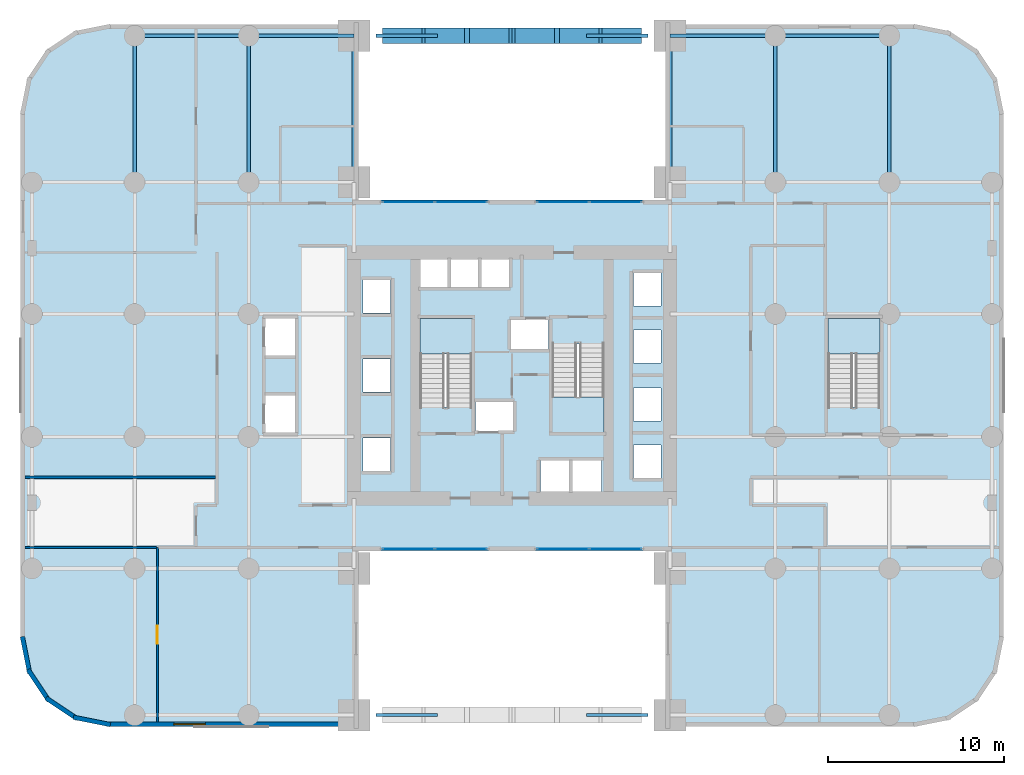
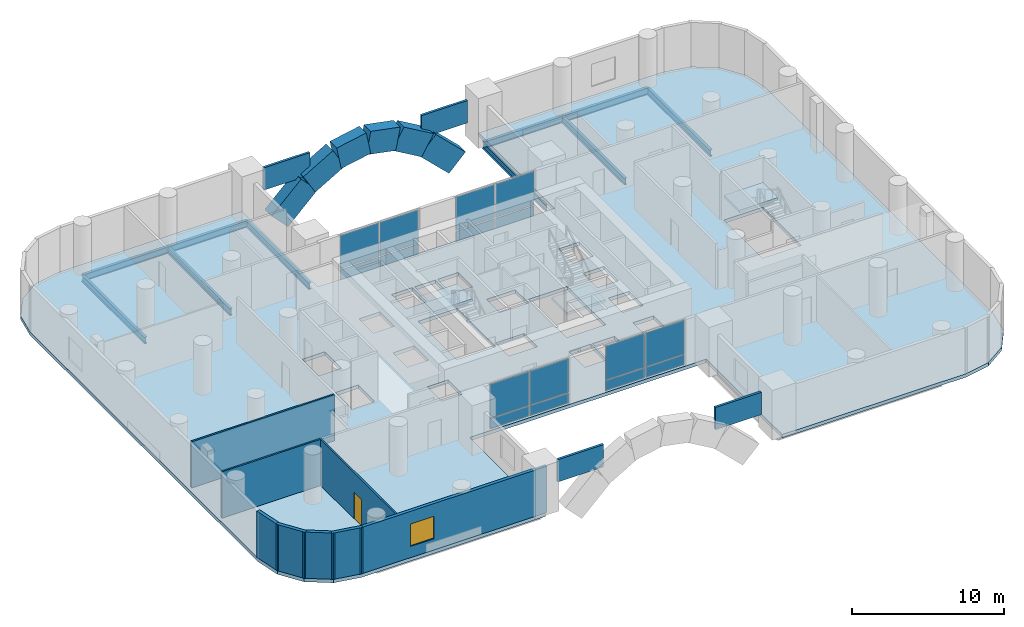
# One storey, part 4 of 9: 20 plates, 10 beams, 8 walls, 6 members, 4 slabs, 1 door, 1 window, 2 openings, 7 elements without a shape of their own.
"""IFC4 building model written with IfcOpenShell, lengths in metres."""

from ifc_helpers import new_model, si_unit, direction, frame, frame_2d, origin, origin_2d, place, context, subcontext, project, spatial, polyline, rectangle, i_section, outline, extrude, material, layer, layer_set, material_profile, profile_set, type_object, element, fill, aggregate, save


model = new_model("IFC4")

# Units and contexts
model_context = context("Model", 3, precision=1e-05, world=origin(), true_north=direction((0.0, 1.0)))
body_context = subcontext(model_context, "Body", "Model", "MODEL_VIEW")
ifc_project = project(units=[si_unit("LENGTHUNIT", "METRE"), si_unit("AREAUNIT", "SQUARE_METRE"), si_unit("VOLUMEUNIT", "CUBIC_METRE"), si_unit("PLANEANGLEUNIT", "RADIAN"), si_unit("MASSUNIT", "GRAM", prefix="KILO")], contexts=[model_context])

# Site, building, storey
site_placement = place(None, origin())
site = spatial("IfcSite", under=ifc_project, at=site_placement, CompositionType="ELEMENT")
building_placement = place(site_placement, origin())
building = spatial("IfcBuilding", under=site, at=building_placement, Name="Veldorim Arch Residences", CompositionType="ELEMENT")
storey_placement = place(building_placement, frame((0.0, 0.0, 8.0)))
storey = spatial("IfcBuildingStorey", under=building, at=storey_placement, Name="L02", CompositionType="ELEMENT", Elevation=8.0)

# Members
ifc_material_1 = material(Name="Concrete C60/75", Category="concrete")
ifc_material_profile_1 = material_profile(ifc_material_1, rectangle(XDim=0.89990234375, YDim=1.800048828125, at=origin_2d()), Name="RC_RECT_900x1800")
ifc_profile_set_1 = profile_set([ifc_material_profile_1], Name="Concrete C60/75")
member_type = type_object("IfcMemberType", Name="Giant Podium Arch Parabolic Rib 900x1800", PredefinedType="STRUT", material=ifc_profile_set_1)
member_1_placement = place(storey_placement, frame((25.25, 43.35009765625, -0.9375), z_axis=(0.716994918814, 0.0, 0.697078393292), x_axis=(0.0, 1.0, 0.0)))
element("IfcMember", 1, at=member_1_placement, inside=storey, type_object=member_type, Name="Giant Podium Arch N parabolic rib segment 2", PredefinedType="STRUT", context=body_context, shape_type="SweptSolid", body=[
    extrude(rectangle(XDim=0.89990234375, YDim=1.800048828125, at=origin_2d()), origin(), (0.0, 0.0, 1.0), 3.13818359375),
])
member_2_placement = place(storey_placement, frame((27.5, 43.35009765625, 1.25), z_axis=(0.863778900898, 0.0, 0.503871025524), x_axis=(0.0, 1.0, 0.0)))
element("IfcMember", 2, at=member_2_placement, inside=storey, type_object=member_type, Name="Giant Podium Arch N parabolic rib segment 3", PredefinedType="STRUT", context=body_context, shape_type="SweptSolid", body=[
    extrude(rectangle(XDim=0.89990234375, YDim=1.800048828125, at=origin_2d()), origin(), (0.0, 0.0, 1.0), 2.604736328125),
])
for number, where, z_axis, x_axis, name in (
    (3, (29.75, 43.35009765625, 2.5625), (0.981615389669, 0.0, 0.190869659102), (0.0, 1.0, 0.0), "Giant Podium Arch N parabolic rib segment 4"),
    (4, (32.0, 43.35009765625, 3.0), (0.981615389669, 0.0, -0.190869659102), (0.0, 1.0, 0.0), "Giant Podium Arch N parabolic rib segment 5"),
):
    element("IfcMember", number, at=place(storey_placement, frame(where, z_axis=z_axis, x_axis=x_axis)), inside=storey, type_object=member_type, Name=name, PredefinedType="STRUT", context=body_context, shape_type="SweptSolid", body=[
        extrude(rectangle(XDim=0.89990234375, YDim=1.800048828125, at=origin_2d()), origin(), (0.0, 0.0, 1.0), 2.292236328125),
    ])
member_3_placement = place(storey_placement, frame((34.25, 43.35009765625, 2.5625), z_axis=(0.863778900898, 0.0, -0.503871025524), x_axis=(0.0, 1.0, 0.0)))
element("IfcMember", 5, at=member_3_placement, inside=storey, type_object=member_type, Name="Giant Podium Arch N parabolic rib segment 6", PredefinedType="STRUT", context=body_context, shape_type="SweptSolid", body=[
    extrude(rectangle(XDim=0.89990234375, YDim=1.800048828125, at=origin_2d()), origin(), (0.0, 0.0, 1.0), 2.604736328125),
])
member_4_placement = place(storey_placement, frame((36.5, 43.35009765625, 1.25), z_axis=(0.716994918814, 0.0, -0.697078393292), x_axis=(0.0, 1.0, 0.0)))
element("IfcMember", 6, at=member_4_placement, inside=storey, type_object=member_type, Name="Giant Podium Arch N parabolic rib segment 7", PredefinedType="STRUT", context=body_context, shape_type="SweptSolid", body=[
    extrude(rectangle(XDim=0.89990234375, YDim=1.800048828125, at=origin_2d()), origin(), (0.0, 0.0, 1.0), 3.13818359375),
])

# Beams
ifc_material_2 = material(Name="Steel S355", Category="steel")
ifc_material_profile_2 = material_profile(ifc_material_2, i_section(OverallWidth=0.2099609375, OverallDepth=0.53662109375, WebThickness=0.0107421875, FlangeThickness=0.017333984375, at=origin_2d()), Name="UB533x210x101")
ifc_profile_set_2 = profile_set([ifc_material_profile_2], Name="Steel S355")
beam_type_1 = type_object("IfcBeamType", Name="Structural Steel Beam UB533x210x101", PredefinedType="BEAM", material=ifc_profile_set_2)
for number, where, z_axis, x_axis, name in (
    (7, (10.5, 35.0, -0.54833984375), (0.0, 1.0, 0.0), (-1.0, 0.0, 0.0), "L02 north-south floor beam (X=10.5, 35.0-43.4)"),
    (8, (17.0, 35.0, -0.54833984375), (0.0, 1.0, 0.0), (-1.0, 0.0, 0.0), "L02 north-south floor beam (X=17.0, 35.0-43.4)"),
    (9, (23.0, 35.0, -0.54833984375), (0.0, 1.0, 0.0), (-1.0, 0.0, 0.0), "L02 north-south floor beam (X=23.0, 35.0-43.4)"),
    (10, (41.0, 35.0, -0.54833984375), (0.0, 1.0, 0.0), (-1.0, 0.0, 0.0), "L02 north-south floor beam (X=41.0, 35.0-43.4)"),
    (11, (47.0, 35.0, -0.54833984375), (0.0, 1.0, 0.0), (-1.0, 0.0, 0.0), "L02 north-south floor beam (X=47.0, 35.0-43.4)"),
    (12, (53.5, 35.0, -0.54833984375), (0.0, 1.0, 0.0), (-1.0, 0.0, 0.0), "L02 north-south floor beam (X=53.5, 35.0-43.4)"),
):
    element("IfcBeam", number, at=place(storey_placement, frame(where, z_axis=z_axis, x_axis=x_axis)), inside=storey, type_object=beam_type_1, Name=name, PredefinedType="BEAM", context=body_context, shape_type="SweptSolid", body=[
        extrude(i_section(OverallWidth=0.2099609375, OverallDepth=0.53662109375, WebThickness=0.0107421875, FlangeThickness=0.017333984375, at=origin_2d()), origin(), (0.0, 0.0, 1.0), 8.35009765625),
    ])
ifc_material_3 = material(Name="Steel S355", Category="steel")
ifc_material_profile_3 = material_profile(ifc_material_3, i_section(OverallWidth=0.2119140625, OverallDepth=0.54443359375, WebThickness=0.0126953125, FlangeThickness=0.021240234375, at=origin_2d()), Name="UB533x210x122")
ifc_profile_set_3 = profile_set([ifc_material_profile_3], Name="Steel S355")
beam_type_2 = type_object("IfcBeamType", Name="Structural Steel Beam UB533x210x122", PredefinedType="BEAM", material=ifc_profile_set_3)
beam_1_placement = place(storey_placement, frame((10.5, 43.35009765625, -0.55224609375), z_axis=(1.0, 0.0, 0.0), x_axis=(0.0, 1.0, 0.0)))
element("IfcBeam", 13, at=beam_1_placement, inside=storey, type_object=beam_type_2, Name="L02 east-west floor beam (10.5-17.0, Y=43.4)", PredefinedType="BEAM", context=body_context, shape_type="SweptSolid", body=[
    extrude(i_section(OverallWidth=0.2119140625, OverallDepth=0.54443359375, WebThickness=0.0126953125, FlangeThickness=0.021240234375, at=origin_2d()), origin(), (0.0, 0.0, 1.0), 6.5),
])
for number, where, z_axis, x_axis, name in (
    (14, (17.0, 43.35009765625, -0.55224609375), (1.0, 0.0, 0.0), (0.0, 1.0, 0.0), "L02 east-west floor beam (17.0-23.0, Y=43.4)"),
    (15, (41.0, 43.35009765625, -0.55224609375), (1.0, 0.0, 0.0), (0.0, 1.0, 0.0), "L02 east-west floor beam (41.0-47.0, Y=43.4)"),
):
    element("IfcBeam", number, at=place(storey_placement, frame(where, z_axis=z_axis, x_axis=x_axis)), inside=storey, type_object=beam_type_2, Name=name, PredefinedType="BEAM", context=body_context, shape_type="SweptSolid", body=[
        extrude(i_section(OverallWidth=0.2119140625, OverallDepth=0.54443359375, WebThickness=0.0126953125, FlangeThickness=0.021240234375, at=origin_2d()), origin(), (0.0, 0.0, 1.0), 6.0),
    ])
beam_2_placement = place(storey_placement, frame((47.0, 43.35009765625, -0.55224609375), z_axis=(1.0, 0.0, 0.0), x_axis=(0.0, 1.0, 0.0)))
element("IfcBeam", 16, at=beam_2_placement, inside=storey, type_object=beam_type_2, Name="L02 east-west floor beam (47.0-53.5, Y=43.4)", PredefinedType="BEAM", context=body_context, shape_type="SweptSolid", body=[
    extrude(i_section(OverallWidth=0.2119140625, OverallDepth=0.54443359375, WebThickness=0.0126953125, FlangeThickness=0.021240234375, at=origin_2d()), origin(), (0.0, 0.0, 1.0), 6.5),
])

# Plates
ifc_material_4 = material(Name="Precast concrete C40/50", Category="concrete")
ifc_layer_1 = layer(ifc_material_4, 0.179931640625, Name="Podium Arch Spandrel Precast Fascia Plate 180")
ifc_layer_set_1 = layer_set([ifc_layer_1], Name="Precast concrete C40/50")
plate_type_1 = type_object("IfcPlateType", Name="Podium Arch Spandrel Precast Fascia Plate 180", PredefinedType="SHEET", material=ifc_layer_set_1)
for number, where, z_axis, x_axis, name in (
    (17, (26.0, 4.64990234375, 1.7001953125), (0.0, 0.0, 1.0), (1.0, 0.0, 0.0), "Giant Arch S-W spandrel fascia plate"),
    (18, (38.0, 4.64990234375, 1.7001953125), (0.0, 0.0, 1.0), (1.0, 0.0, 0.0), "Giant Arch S-E spandrel fascia plate"),
    (19, (26.0, 43.35009765625, 1.7001953125), (0.0, 0.0, 1.0), (1.0, 0.0, 0.0), "Giant Arch N-W spandrel fascia plate"),
    (20, (38.0, 43.35009765625, 1.7001953125), (0.0, 0.0, 1.0), (1.0, 0.0, 0.0), "Giant Arch N-E spandrel fascia plate"),
):
    element("IfcPlate", number, at=place(storey_placement, frame(where, z_axis=z_axis, x_axis=x_axis)), inside=storey, type_object=plate_type_1, Name=name, PredefinedType="SHEET", context=body_context, shape_type="SweptSolid", body=[
        extrude(rectangle(XDim=3.5, YDim=0.179931640625, at=origin_2d()), origin(), (0.0, 0.0, 1.0), 1.800048828125),
    ])

# Curtain wall, plates
ifc_material_5 = material(Name="Aluminium", Category="aluminium")
curtain_wall_type = type_object("IfcCurtainWallType", Name="Podium Clinic Double-Glazed Curtain Wall", PredefinedType="NOTDEFINED", material=ifc_material_5)
curtain_wall_1_placement = place(storey_placement, origin())
curtain_wall_1 = element("IfcCurtainWall", 21, at=curtain_wall_1_placement, inside=storey, type_object=curtain_wall_type, Name="L02 polyclinic curtain wall 11-1", PredefinedType="NOTDEFINED")
ifc_material_6 = material(Name="Laminated Low-E Glass", Category="glass")
ifc_layer_2 = layer(ifc_material_6, 0.028076171875, Name="Podium Clinic Double-Glazed Curtain Wall Glazing Panel 28")
ifc_layer_set_2 = layer_set([ifc_layer_2], Name="Laminated Low-E Glass")
plate_type_2 = type_object("IfcPlateType", Name="Podium Clinic Double-Glazed Curtain Wall Glazing Panel 28", PredefinedType="CURTAIN_PANEL", material=ifc_layer_set_2)
plate_1_placement = place(storey_placement, frame((37.90625, 14.125, 0.074951171875), z_axis=(0.0, 0.0, 1.0), x_axis=(-1.0, 0.0, 0.0)))
plate_1 = element("IfcPlate", 22, at=plate_1_placement, type_object=plate_type_2, Name="CW-POD panel 1.1", PredefinedType="CURTAIN_PANEL", context=body_context, shape_type="SweptSolid", body=[
    extrude(rectangle(XDim=2.9375, YDim=0.028076171875, at=origin_2d()), origin(), (0.0, 0.0, 1.0), 0.78759765625),
])
plate_2_placement = place(storey_placement, frame((37.90625, 14.125, 0.9375), z_axis=(0.0, 0.0, 1.0), x_axis=(-1.0, 0.0, 0.0)))
plate_2 = element("IfcPlate", 23, at=plate_2_placement, type_object=plate_type_2, Name="CW-POD panel 1.2", PredefinedType="CURTAIN_PANEL", context=body_context, shape_type="SweptSolid", body=[
    extrude(rectangle(XDim=2.9375, YDim=0.028076171875, at=origin_2d()), origin(), (0.0, 0.0, 1.0), 2.70751953125),
])
plate_3_placement = place(storey_placement, frame((34.893798828125, 14.125, 0.074951171875), z_axis=(0.0, 0.0, 1.0), x_axis=(-1.0, 0.0, 0.0)))
plate_3 = element("IfcPlate", 24, at=plate_3_placement, type_object=plate_type_2, Name="CW-POD panel 2.1", PredefinedType="CURTAIN_PANEL", context=body_context, shape_type="SweptSolid", body=[
    extrude(rectangle(XDim=2.9375, YDim=0.028076171875, at=origin_2d()), origin(), (0.0, 0.0, 1.0), 0.78759765625),
])
plate_4_placement = place(storey_placement, frame((34.893798828125, 14.125, 0.9375), z_axis=(0.0, 0.0, 1.0), x_axis=(-1.0, 0.0, 0.0)))
plate_4 = element("IfcPlate", 25, at=plate_4_placement, type_object=plate_type_2, Name="CW-POD panel 2.2", PredefinedType="CURTAIN_PANEL", context=body_context, shape_type="SweptSolid", body=[
    extrude(rectangle(XDim=2.9375, YDim=0.028076171875, at=origin_2d()), origin(), (0.0, 0.0, 1.0), 2.70751953125),
])
aggregate(curtain_wall_1, [plate_1, plate_2, plate_3, plate_4])

curtain_wall_2_placement = place(storey_placement, origin())
curtain_wall_2 = element("IfcCurtainWall", 26, at=curtain_wall_2_placement, inside=storey, type_object=curtain_wall_type, Name="L02 polyclinic curtain wall 11-2", PredefinedType="NOTDEFINED")
plate_5_placement = place(storey_placement, frame((29.106201171875, 14.125, 0.074951171875), z_axis=(0.0, 0.0, 1.0), x_axis=(-1.0, 0.0, 0.0)))
plate_5 = element("IfcPlate", 27, at=plate_5_placement, type_object=plate_type_2, Name="CW-POD panel 1.1", PredefinedType="CURTAIN_PANEL", context=body_context, shape_type="SweptSolid", body=[
    extrude(rectangle(XDim=2.9375, YDim=0.028076171875, at=origin_2d()), origin(), (0.0, 0.0, 1.0), 0.78759765625),
])
plate_6_placement = place(storey_placement, frame((29.106201171875, 14.125, 0.9375), z_axis=(0.0, 0.0, 1.0), x_axis=(-1.0, 0.0, 0.0)))
plate_6 = element("IfcPlate", 28, at=plate_6_placement, type_object=plate_type_2, Name="CW-POD panel 1.2", PredefinedType="CURTAIN_PANEL", context=body_context, shape_type="SweptSolid", body=[
    extrude(rectangle(XDim=2.9375, YDim=0.028076171875, at=origin_2d()), origin(), (0.0, 0.0, 1.0), 2.70751953125),
])
plate_7_placement = place(storey_placement, frame((26.09375, 14.125, 0.074951171875), z_axis=(0.0, 0.0, 1.0), x_axis=(-1.0, 0.0, 0.0)))
plate_7 = element("IfcPlate", 29, at=plate_7_placement, type_object=plate_type_2, Name="CW-POD panel 2.1", PredefinedType="CURTAIN_PANEL", context=body_context, shape_type="SweptSolid", body=[
    extrude(rectangle(XDim=2.9375, YDim=0.028076171875, at=origin_2d()), origin(), (0.0, 0.0, 1.0), 0.78759765625),
])
plate_8_placement = place(storey_placement, frame((26.09375, 14.125, 0.9375), z_axis=(0.0, 0.0, 1.0), x_axis=(-1.0, 0.0, 0.0)))
plate_8 = element("IfcPlate", 30, at=plate_8_placement, type_object=plate_type_2, Name="CW-POD panel 2.2", PredefinedType="CURTAIN_PANEL", context=body_context, shape_type="SweptSolid", body=[
    extrude(rectangle(XDim=2.9375, YDim=0.028076171875, at=origin_2d()), origin(), (0.0, 0.0, 1.0), 2.70751953125),
])
aggregate(curtain_wall_2, [plate_5, plate_6, plate_7, plate_8])

curtain_wall_3_placement = place(storey_placement, origin())
curtain_wall_3 = element("IfcCurtainWall", 31, at=curtain_wall_3_placement, inside=storey, type_object=curtain_wall_type, Name="L02 polyclinic curtain wall 25-1", PredefinedType="NOTDEFINED")
plate_9_placement = place(storey_placement, frame((26.09375, 33.875, 0.074951171875), z_axis=(0.0, 0.0, 1.0), x_axis=(1.0, 0.0, 0.0)))
plate_9 = element("IfcPlate", 32, at=plate_9_placement, type_object=plate_type_2, Name="CW-POD panel 1.1", PredefinedType="CURTAIN_PANEL", context=body_context, shape_type="SweptSolid", body=[
    extrude(rectangle(XDim=2.9375, YDim=0.028076171875, at=origin_2d()), origin(), (0.0, 0.0, 1.0), 0.78759765625),
])
plate_10_placement = place(storey_placement, frame((26.09375, 33.875, 0.9375), z_axis=(0.0, 0.0, 1.0), x_axis=(1.0, 0.0, 0.0)))
plate_10 = element("IfcPlate", 33, at=plate_10_placement, type_object=plate_type_2, Name="CW-POD panel 1.2", PredefinedType="CURTAIN_PANEL", context=body_context, shape_type="SweptSolid", body=[
    extrude(rectangle(XDim=2.9375, YDim=0.028076171875, at=origin_2d()), origin(), (0.0, 0.0, 1.0), 2.70751953125),
])
plate_11_placement = place(storey_placement, frame((29.106201171875, 33.875, 0.074951171875), z_axis=(0.0, 0.0, 1.0), x_axis=(1.0, 0.0, 0.0)))
plate_11 = element("IfcPlate", 34, at=plate_11_placement, type_object=plate_type_2, Name="CW-POD panel 2.1", PredefinedType="CURTAIN_PANEL", context=body_context, shape_type="SweptSolid", body=[
    extrude(rectangle(XDim=2.9375, YDim=0.028076171875, at=origin_2d()), origin(), (0.0, 0.0, 1.0), 0.78759765625),
])
plate_12_placement = place(storey_placement, frame((29.106201171875, 33.875, 0.9375), z_axis=(0.0, 0.0, 1.0), x_axis=(1.0, 0.0, 0.0)))
plate_12 = element("IfcPlate", 35, at=plate_12_placement, type_object=plate_type_2, Name="CW-POD panel 2.2", PredefinedType="CURTAIN_PANEL", context=body_context, shape_type="SweptSolid", body=[
    extrude(rectangle(XDim=2.9375, YDim=0.028076171875, at=origin_2d()), origin(), (0.0, 0.0, 1.0), 2.70751953125),
])
aggregate(curtain_wall_3, [plate_9, plate_10, plate_11, plate_12])

curtain_wall_4_placement = place(storey_placement, origin())
curtain_wall_4 = element("IfcCurtainWall", 36, at=curtain_wall_4_placement, inside=storey, type_object=curtain_wall_type, Name="L02 polyclinic curtain wall 25-2", PredefinedType="NOTDEFINED")
plate_13_placement = place(storey_placement, frame((34.893798828125, 33.875, 0.074951171875), z_axis=(0.0, 0.0, 1.0), x_axis=(1.0, 0.0, 0.0)))
plate_13 = element("IfcPlate", 37, at=plate_13_placement, type_object=plate_type_2, Name="CW-POD panel 1.1", PredefinedType="CURTAIN_PANEL", context=body_context, shape_type="SweptSolid", body=[
    extrude(rectangle(XDim=2.9375, YDim=0.028076171875, at=origin_2d()), origin(), (0.0, 0.0, 1.0), 0.78759765625),
])
plate_14_placement = place(storey_placement, frame((34.893798828125, 33.875, 0.9375), z_axis=(0.0, 0.0, 1.0), x_axis=(1.0, 0.0, 0.0)))
plate_14 = element("IfcPlate", 38, at=plate_14_placement, type_object=plate_type_2, Name="CW-POD panel 1.2", PredefinedType="CURTAIN_PANEL", context=body_context, shape_type="SweptSolid", body=[
    extrude(rectangle(XDim=2.9375, YDim=0.028076171875, at=origin_2d()), origin(), (0.0, 0.0, 1.0), 2.70751953125),
])
plate_15_placement = place(storey_placement, frame((37.90625, 33.875, 0.074951171875), z_axis=(0.0, 0.0, 1.0), x_axis=(1.0, 0.0, 0.0)))
plate_15 = element("IfcPlate", 39, at=plate_15_placement, type_object=plate_type_2, Name="CW-POD panel 2.1", PredefinedType="CURTAIN_PANEL", context=body_context, shape_type="SweptSolid", body=[
    extrude(rectangle(XDim=2.9375, YDim=0.028076171875, at=origin_2d()), origin(), (0.0, 0.0, 1.0), 0.78759765625),
])
plate_16_placement = place(storey_placement, frame((37.90625, 33.875, 0.9375), z_axis=(0.0, 0.0, 1.0), x_axis=(1.0, 0.0, 0.0)))
plate_16 = element("IfcPlate", 40, at=plate_16_placement, type_object=plate_type_2, Name="CW-POD panel 2.2", PredefinedType="CURTAIN_PANEL", context=body_context, shape_type="SweptSolid", body=[
    extrude(rectangle(XDim=2.9375, YDim=0.028076171875, at=origin_2d()), origin(), (0.0, 0.0, 1.0), 2.70751953125),
])
aggregate(curtain_wall_4, [plate_13, plate_14, plate_15, plate_16])

# Slab
ifc_material_7 = material(Name="Concrete C40/50", Category="concrete")
ifc_layer_3 = layer(ifc_material_7, 0.280029296875, Name="Podium Polyclinic Floor Slab 280")
ifc_layer_set_3 = layer_set([ifc_layer_3], Name="Concrete C40/50")
slab_type_1 = type_object("IfcSlabType", Name="Podium Polyclinic Floor Slab 280", PredefinedType="FLOOR", material=ifc_layer_set_3)
slab_1_placement = place(storey_placement, frame((0.0, 0.0, -0.280029296875)))
element("IfcSlab", 41, at=slab_1_placement, inside=storey, type_object=slab_type_1, Name="L02 outpatient polyclinic floor slab", PredefinedType="FLOOR", context=body_context, shape_type="SweptSolid", body=[
    extrude(outline(polyline([(55.0, 44.0), (56.913330078125, 43.619384765625), (58.535400390625, 42.535400390625), (59.619384765625, 40.913330078125), (60.0, 39.0), (60.0, 9.0), (59.619384765625, 7.086669921875), (58.535400390625, 5.464599609375), (56.913330078125, 4.380615234375), (55.0, 4.0), (41.0, 4.0), (41.0, 14.0), (23.0, 14.0), (23.0, 4.0), (9.0, 4.0), (7.086669921875, 4.380615234375), (5.464599609375, 5.464599609375), (4.380615234375, 7.086669921875), (4.0, 9.0), (4.0, 39.0), (4.380615234375, 40.913330078125), (5.464599609375, 42.535400390625), (7.086669921875, 43.619384765625), (9.0, 44.0), (23.0, 44.0), (23.0, 34.0), (41.0, 34.0), (41.0, 44.0), (55.0, 44.0)]), holes=[polyline([(23.510009765625, 20.43994140625), (25.090087890625, 20.43994140625), (25.090087890625, 18.56005859375), (23.510009765625, 18.56005859375), (23.510009765625, 20.43994140625)]), polyline([(29.909912109375, 22.544921875), (32.090087890625, 22.544921875), (32.090087890625, 20.81494140625), (29.909912109375, 20.81494140625), (29.909912109375, 22.544921875)]), polyline([(17.93505859375, 22.889892578125), (19.6650390625, 22.889892578125), (19.6650390625, 20.7099609375), (17.93505859375, 20.7099609375), (17.93505859375, 22.889892578125)]), polyline([(23.510009765625, 24.93994140625), (25.090087890625, 24.93994140625), (25.090087890625, 23.06005859375), (23.510009765625, 23.06005859375), (23.510009765625, 24.93994140625)]), polyline([(26.75, 27.25), (29.7099609375, 27.25), (29.7099609375, 22.195068359375), (26.75, 22.195068359375), (26.75, 27.25)]), polyline([(17.93505859375, 27.2900390625), (19.6650390625, 27.2900390625), (19.6650390625, 25.110107421875), (17.93505859375, 25.110107421875), (17.93505859375, 27.2900390625)]), polyline([(23.510009765625, 29.43994140625), (25.090087890625, 29.43994140625), (25.090087890625, 27.56005859375), (23.510009765625, 27.56005859375), (23.510009765625, 29.43994140625)]), polyline([(28.340087890625, 30.7900390625), (28.340087890625, 28.909912109375), (26.760009765625, 28.909912109375), (26.760009765625, 30.7900390625), (28.340087890625, 30.7900390625)]), polyline([(30.090087890625, 30.7900390625), (30.090087890625, 28.909912109375), (28.510009765625, 28.909912109375), (28.510009765625, 30.7900390625), (30.090087890625, 30.7900390625)]), polyline([(30.260009765625, 30.7900390625), (31.840087890625, 30.7900390625), (31.840087890625, 28.909912109375), (30.260009765625, 28.909912109375), (30.260009765625, 30.7900390625)]), polyline([(33.610107421875, 19.2900390625), (35.2900390625, 19.2900390625), (35.2900390625, 17.2099609375), (33.610107421875, 17.2099609375), (33.610107421875, 19.2900390625)]), polyline([(35.409912109375, 19.2900390625), (37.090087890625, 19.2900390625), (37.090087890625, 17.2099609375), (35.409912109375, 17.2099609375), (35.409912109375, 19.2900390625)]), polyline([(40.489990234375, 20.0400390625), (40.489990234375, 18.159912109375), (38.909912109375, 18.159912109375), (38.909912109375, 20.0400390625), (40.489990234375, 20.0400390625)]), polyline([(40.489990234375, 23.2900390625), (40.489990234375, 21.409912109375), (38.909912109375, 21.409912109375), (38.909912109375, 23.2900390625), (40.489990234375, 23.2900390625)]), polyline([(34.2900390625, 25.804931640625), (37.25, 25.804931640625), (37.25, 20.75), (34.2900390625, 20.75), (34.2900390625, 25.804931640625)]), polyline([(50.0, 27.25), (52.9599609375, 27.25), (52.9599609375, 22.195068359375), (50.0, 22.195068359375), (50.0, 27.25)]), polyline([(38.909912109375, 26.590087890625), (40.489990234375, 26.590087890625), (40.489990234375, 24.7099609375), (38.909912109375, 24.7099609375), (38.909912109375, 26.590087890625)]), polyline([(34.090087890625, 27.18505859375), (34.090087890625, 25.455078125), (31.909912109375, 25.455078125), (31.909912109375, 27.18505859375), (34.090087890625, 27.18505859375)]), polyline([(40.489990234375, 29.840087890625), (40.489990234375, 27.9599609375), (38.909912109375, 27.9599609375), (38.909912109375, 29.840087890625), (40.489990234375, 29.840087890625)])]), origin(), (0.0, 0.0, 1.0), 0.280029296875),
])

# Stair, slab
ifc_material_8 = material(Name="Concrete C40/50", Category="concrete")
stair_type = type_object("IfcStairType", Name="Reinforced Concrete Dogleg Exit Staircase", PredefinedType="HALF_TURN_STAIR", material=ifc_material_8)
stair_1_placement = place(storey_placement, origin())
stair_1 = element("IfcStair", 42, at=stair_1_placement, inside=storey, type_object=stair_type, Name="L02 Exit Staircase ST-1", PredefinedType="HALF_TURN_STAIR")
ifc_material_9 = material(Name="Concrete C40/50", Category="concrete")
ifc_layer_4 = layer(ifc_material_9, 0.199951171875, Name="Reinforced Concrete Stair Landing 200")
ifc_layer_set_4 = layer_set([ifc_layer_4], Name="Concrete C40/50")
slab_type_2 = type_object("IfcSlabType", Name="Reinforced Concrete Stair Landing 200", PredefinedType="LANDING", material=ifc_layer_set_4)
slab_2_placement = place(storey_placement, frame((0.0, 0.0, 1.800048828125)))
slab_2 = element("IfcSlab", 43, at=slab_2_placement, type_object=slab_type_2, Name="ST-1 landing 1", PredefinedType="LANDING", context=body_context, shape_type="SweptSolid", body=[
    extrude(outline(polyline([(29.7099609375, 25.22998046875), (29.7099609375, 27.25), (26.75, 27.25), (26.75, 25.22998046875), (29.7099609375, 25.22998046875)])), origin(), (0.0, 0.0, 1.0), 0.199951171875),
])
aggregate(stair_1, [slab_2])

stair_2_placement = place(storey_placement, origin())
stair_2 = element("IfcStair", 44, at=stair_2_placement, inside=storey, type_object=stair_type, Name="L02 Exit Staircase ST-2", PredefinedType="HALF_TURN_STAIR")
slab_3_placement = place(storey_placement, frame((0.0, 0.0, 1.800048828125)))
slab_3 = element("IfcSlab", 45, at=slab_3_placement, type_object=slab_type_2, Name="ST-2 landing 1", PredefinedType="LANDING", context=body_context, shape_type="SweptSolid", body=[
    extrude(outline(polyline([(34.2900390625, 22.77001953125), (34.2900390625, 20.75), (37.25, 20.75), (37.25, 22.77001953125), (34.2900390625, 22.77001953125)])), origin(), (0.0, 0.0, 1.0), 0.199951171875),
])
aggregate(stair_2, [slab_3])

stair_3_placement = place(storey_placement, origin())
stair_3 = element("IfcStair", 46, at=stair_3_placement, inside=storey, type_object=stair_type, Name="L02 Exit Staircase ST-3", PredefinedType="HALF_TURN_STAIR")
slab_4_placement = place(storey_placement, frame((0.0, 0.0, 1.800048828125)))
slab_4 = element("IfcSlab", 47, at=slab_4_placement, type_object=slab_type_2, Name="ST-3 landing 1", PredefinedType="LANDING", context=body_context, shape_type="SweptSolid", body=[
    extrude(outline(polyline([(52.9599609375, 25.22998046875), (52.9599609375, 27.25), (50.0, 27.25), (50.0, 25.22998046875), (52.9599609375, 25.22998046875)])), origin(), (0.0, 0.0, 1.0), 0.199951171875),
])
aggregate(stair_3, [slab_4])

# Wall, opening, door
ifc_material_10 = material(Name="Acoustic Gypsum Board", Category="gypsum")
ifc_layer_5 = layer(ifc_material_10, 0.125, Name="Acoustic Stud Room Partition Wall 125")
ifc_layer_set_5 = layer_set([ifc_layer_5], Name="Acoustic Gypsum Board")
wall_type_1 = type_object("IfcWallType", Name="Acoustic Stud Room Partition Wall 125", PredefinedType="PARTITIONING", material=ifc_layer_set_5)
wall_1_placement = place(storey_placement, frame((11.800048828125, 14.199951171875, 0.0), z_axis=(0.0, 0.0, 1.0), x_axis=(0.0, -1.0, 0.0)))
wall_1 = element("IfcWall", 48, at=wall_1_placement, inside=storey, type_object=wall_type_1, Name="L02 interior wall WL-POD-L02-021", PredefinedType="PARTITIONING", context=body_context, shape_type="SweptSolid", body=[
    extrude(rectangle(XDim=9.949951171875, YDim=0.125, at=frame_2d((4.97509765625, 0.0))), origin(), (0.0, 0.0, 1.0), 3.715087890625),
])
opening_1_placement = place(wall_1_placement, frame((4.449951171875, 0.0, 0.0)))
opening_1 = element("IfcOpeningElement", 49, at=opening_1_placement, cuts=wall_1, Name="Opening DR-CLN", PredefinedType="OPENING", context=body_context, shape_type="SweptSolid", body=[
    extrude(rectangle(XDim=1.050048828125, YDim=2.14990234375, at=frame_2d((0.52490234375, 1.074951171875))), frame((0.0, 0.072509765625, 0.0), z_axis=(0.0, -1.0, 0.0), x_axis=(1.0, 0.0, 0.0)), (0.0, 0.0, 1.0), 0.14501953125),
])
ifc_material_11 = material(Name="Timber & Vision Panel", Category="wood")
door_type = type_object("IfcDoorType", Name="Polyclinic Wheelchair-Accessible Consultation Door 1050x2150", OperationType="SINGLE_SWING_LEFT", PredefinedType="DOOR", material=ifc_material_11)
door_placement = place(opening_1_placement, origin())
door = element("IfcDoor", 50, at=door_placement, inside=storey, type_object=door_type, Name="L02 interior door DR-POD-L02-001", OperationType="SINGLE_SWING_LEFT", OverallHeight=2.14990234375, OverallWidth=1.050048828125, PredefinedType="DOOR", context=body_context, shape_type="SweptSolid", body=[
    extrude(rectangle(XDim=1.050048828125, YDim=2.14990234375, at=frame_2d((0.52490234375, 1.074951171875))), frame((0.0, 0.02490234375, 0.0), z_axis=(0.0, -1.0, 0.0), x_axis=(1.0, 0.0, 0.0)), (0.0, 0.0, 1.0), 0.050048828125),
])
fill(opening_1, door)

# Walls
wall_2_placement = place(storey_placement, frame((4.25, 14.199951171875, 0.0), z_axis=(0.0, 0.0, 1.0), x_axis=(1.0, 0.0, 0.0)))
element("IfcWall", 51, at=wall_2_placement, inside=storey, type_object=wall_type_1, Name="L02 interior wall WL-POD-L02-022", PredefinedType="PARTITIONING", context=body_context, shape_type="SweptSolid", body=[
    extrude(rectangle(XDim=7.489990234375, YDim=0.125, at=frame_2d((3.7451171875, 0.0))), origin(), (0.0, 0.0, 1.0), 3.715087890625),
])
wall_3_placement = place(storey_placement, frame((4.25, 18.199951171875, 0.0), z_axis=(0.0, 0.0, 1.0), x_axis=(1.0, 0.0, 0.0)))
element("IfcWall", 52, at=wall_3_placement, inside=storey, type_object=wall_type_1, Name="L02 interior wall WL-POD-L02-023", PredefinedType="PARTITIONING", context=body_context, shape_type="SweptSolid", body=[
    extrude(rectangle(XDim=10.85009765625, YDim=0.125, at=frame_2d((5.425048828125, 0.0))), origin(), (0.0, 0.0, 1.0), 3.715087890625),
])

# Wall, opening, window
ifc_material_12 = material(Name="Precast concrete C40/50", Category="concrete")
ifc_layer_6 = layer(ifc_material_12, 0.25, Name="Podium Terracotta Insulated Facade Wall 250")
ifc_layer_set_6 = layer_set([ifc_layer_6], Name="Precast concrete C40/50")
wall_type_2 = type_object("IfcWallType", Name="Podium Terracotta Insulated Facade Wall 250", PredefinedType="SOLIDWALL", material=ifc_layer_set_6)
wall_4_placement = place(storey_placement, frame((23.10009765625, 4.125, 0.0), z_axis=(0.0, 0.0, 1.0), x_axis=(-1.0, 0.0, 0.0)))
wall_4 = element("IfcWall", 53, at=wall_4_placement, inside=storey, type_object=wall_type_2, Name="L02 podium terracotta facade wall 13", PredefinedType="SOLIDWALL", context=body_context, shape_type="SweptSolid", body=[
    extrude(rectangle(XDim=14.2001953125, YDim=0.25, at=frame_2d((7.10009765625, 0.0))), origin(), (0.0, 0.0, 1.0), 3.719970703125),
])
opening_2_placement = place(wall_4_placement, frame((8.56689453125, 0.0, 0.89990234375)))
opening_2 = element("IfcOpeningElement", 54, at=opening_2_placement, cuts=wall_4, Name="Opening WN-01", PredefinedType="OPENING", context=body_context, shape_type="SweptSolid", body=[
    extrude(rectangle(XDim=1.800048828125, YDim=1.800048828125, at=frame_2d((0.89990234375, 0.89990234375))), frame((0.0, 0.135009765625, 0.0), z_axis=(0.0, -1.0, 0.0), x_axis=(1.0, 0.0, 0.0)), (0.0, 0.0, 1.0), 0.27001953125),
])
ifc_material_13 = material(Name="Laminated Low-E Glass", Category="glass")
window_type = type_object("IfcWindowType", Name="Polyclinic Double-Glazed Window 1800x1800", PartitioningType="SINGLE_PANEL", PredefinedType="WINDOW", material=ifc_material_13)
window_placement = place(opening_2_placement, origin())
window = element("IfcWindow", 55, at=window_placement, inside=storey, type_object=window_type, Name="L02 outpatient clinic window 13-2", OverallHeight=1.800048828125, OverallWidth=1.800048828125, PartitioningType="SINGLE_PANEL", PredefinedType="WINDOW", context=body_context, shape_type="SweptSolid", body=[
    extrude(rectangle(XDim=1.800048828125, YDim=1.800048828125, at=frame_2d((0.89990234375, 0.89990234375))), frame((0.0, 0.030029296875, 0.0), z_axis=(0.0, -1.0, 0.0), x_axis=(1.0, 0.0, 0.0)), (0.0, 0.0, 1.0), 0.06005859375),
])
fill(opening_2, window)

# Walls
wall_5_placement = place(storey_placement, frame((9.12255859375, 4.10302734375, 0.0), z_axis=(0.0, 0.0, 1.0), x_axis=(-0.980780974951, 0.195111965738, 0.0)))
element("IfcWall", 56, at=wall_5_placement, inside=storey, type_object=wall_type_2, Name="L02 podium terracotta facade wall 14", PredefinedType="SOLIDWALL", context=body_context, shape_type="SweptSolid", body=[
    extrude(rectangle(XDim=2.15087890625, YDim=0.25, at=frame_2d((1.075439453125, 0.0))), origin(), (0.0, 0.0, 1.0), 3.719970703125),
])
for number, where, z_axis, x_axis, name in (
    (57, (7.2392578125, 4.428955078125, 0.0), (0.0, 0.0, 1.0), (-0.831473633615, 0.555564214653, 0.0), "L02 podium terracotta facade wall 15"),
    (58, (5.6240234375, 5.45068359375, 0.0), (0.0, 0.0, 1.0), (-0.555564214653, 0.831473633615, 0.0), "L02 podium terracotta facade wall 16"),
):
    element("IfcWall", number, at=place(storey_placement, frame(where, z_axis=z_axis, x_axis=x_axis)), inside=storey, type_object=wall_type_2, Name=name, PredefinedType="SOLIDWALL", context=body_context, shape_type="SweptSolid", body=[
        extrude(rectangle(XDim=2.151123046875, YDim=0.25, at=frame_2d((1.07568359375, 0.0))), origin(), (0.0, 0.0, 1.0), 3.719970703125),
    ])
wall_6_placement = place(storey_placement, frame((4.522705078125, 7.012939453125, 0.0), z_axis=(0.0, 0.0, 1.0), x_axis=(-0.195111965738, 0.980780974951, 0.0)))
element("IfcWall", 59, at=wall_6_placement, inside=storey, type_object=wall_type_2, Name="L02 podium terracotta facade wall 17", PredefinedType="SOLIDWALL", context=body_context, shape_type="SweptSolid", body=[
    extrude(rectangle(XDim=2.15087890625, YDim=0.25, at=frame_2d((1.075439453125, 0.0))), origin(), (0.0, 0.0, 1.0), 3.719970703125),
])

save(model, "model.ifc")
